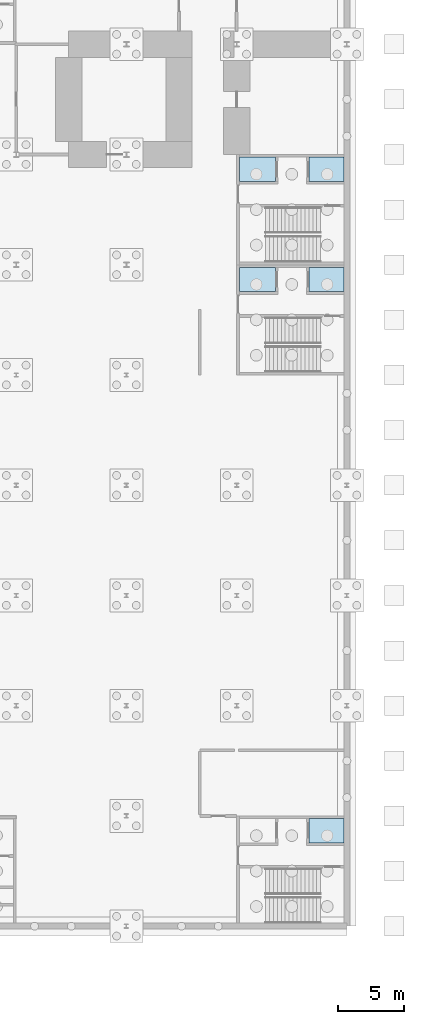
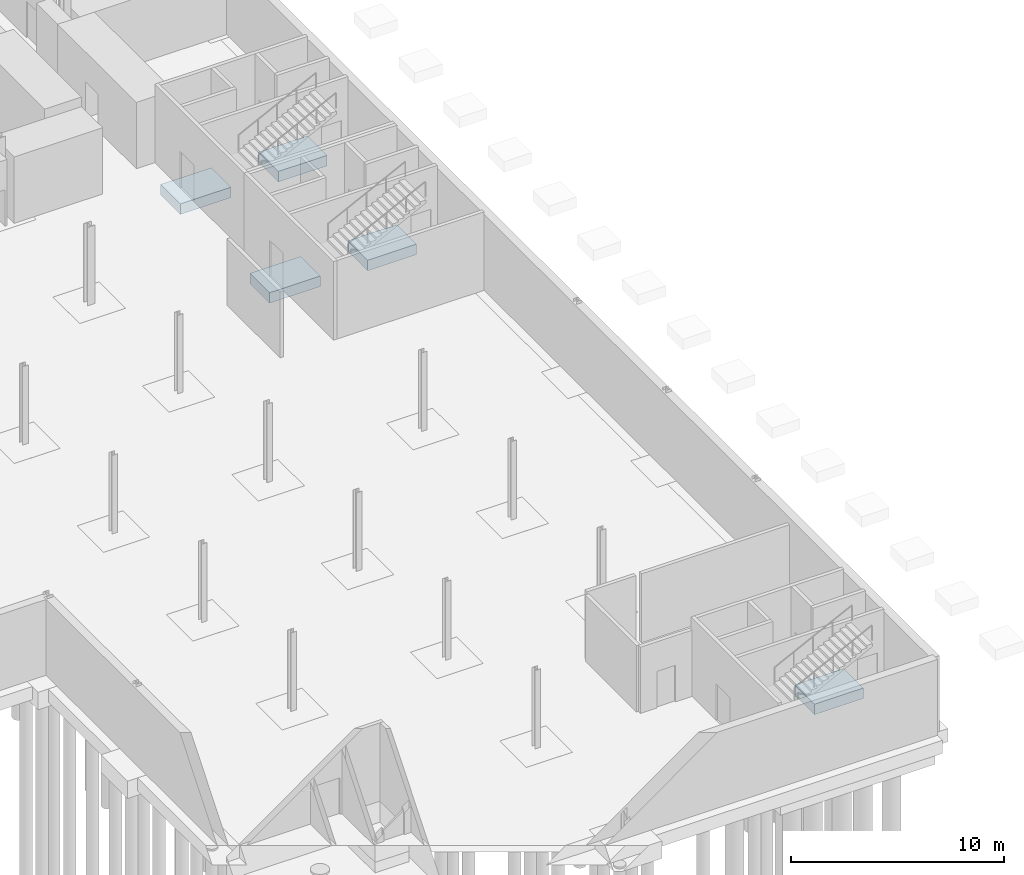
# One storey, part 18 of 35: 5 slabs.
"""IFC4 building model written with IfcOpenShell, lengths in metres."""

from ifc_helpers import new_model, si_unit, direction, frame, origin, place, context, subcontext, project, spatial, polyline, outline, extrude, material, layer, layer_set, type_object, element, save


model = new_model("IFC4")

# Units and contexts
model_context = context("Model", 3, precision=1e-05, world=origin(), true_north=direction((0.0, 1.0)))
body_context = subcontext(model_context, "Body", "Model", "MODEL_VIEW")
ifc_project = project(units=[si_unit("LENGTHUNIT", "METRE"), si_unit("AREAUNIT", "SQUARE_METRE"), si_unit("VOLUMEUNIT", "CUBIC_METRE"), si_unit("PLANEANGLEUNIT", "RADIAN"), si_unit("MASSUNIT", "GRAM", prefix="KILO")], contexts=[model_context])

# Site, building, storey
site_placement = place(None, origin())
site = spatial("IfcSite", under=ifc_project, at=site_placement, CompositionType="ELEMENT")
building_placement = place(site_placement, origin())
building = spatial("IfcBuilding", under=site, at=building_placement, Name="Ardhachandra Cancer Care Centre", CompositionType="ELEMENT")
storey_placement = place(building_placement, frame((0.0, 0.0, -4.5)))
storey = spatial("IfcBuildingStorey", under=building, at=storey_placement, Name="B1", CompositionType="ELEMENT", Elevation=-4.5)

# Slabs
ifc_material = material(Name="Concrete M40", Category="concrete")
ifc_layer = layer(ifc_material, 0.60009765625)
ifc_layer_set = layer_set([ifc_layer], Name="Concrete M40")
slab_type = type_object("IfcSlabType", Name="Lift pit slab 600", PredefinedType="BASESLAB", material=ifc_layer_set)
slab_1_placement = place(storey_placement, frame((0.0, 0.0, -1.800048828125)))
element("IfcSlab", 1, at=slab_1_placement, inside=storey, type_object=slab_type, Name="Lift pit slab K9-2", PredefinedType="BASESLAB", context=body_context, shape_type="SweptSolid", body=[
    extrude(outline(polyline([(142.324951171875, 35.75), (144.97509765625, 35.75), (144.97509765625, 37.60009765625), (142.324951171875, 37.60009765625), (142.324951171875, 35.75)])), origin(), (0.0, 0.0, 1.0), 0.60009765625),
])
slab_2_placement = place(storey_placement, frame((0.0, 0.0, -1.800048828125)))
element("IfcSlab", 2, at=slab_2_placement, inside=storey, type_object=slab_type, Name="Lift pit slab K10-1", PredefinedType="BASESLAB", context=body_context, shape_type="SweptSolid", body=[
    extrude(outline(polyline([(137.0, 77.75), (139.75, 77.75), (139.75, 79.60009765625), (137.0, 79.60009765625), (137.0, 77.75)])), origin(), (0.0, 0.0, 1.0), 0.60009765625),
])
slab_3_placement = place(storey_placement, frame((0.0, 0.0, -1.800048828125)))
element("IfcSlab", 3, at=slab_3_placement, inside=storey, type_object=slab_type, Name="Lift pit slab K10-2", PredefinedType="BASESLAB", context=body_context, shape_type="SweptSolid", body=[
    extrude(outline(polyline([(142.324951171875, 77.75), (144.97509765625, 77.75), (144.97509765625, 79.60009765625), (142.324951171875, 79.60009765625), (142.324951171875, 77.75)])), origin(), (0.0, 0.0, 1.0), 0.60009765625),
])
slab_4_placement = place(storey_placement, frame((0.0, 0.0, -1.800048828125)))
element("IfcSlab", 4, at=slab_4_placement, inside=storey, type_object=slab_type, Name="Lift pit slab K13-1", PredefinedType="BASESLAB", context=body_context, shape_type="SweptSolid", body=[
    extrude(outline(polyline([(137.0, 86.14990234375), (139.75, 86.14990234375), (139.75, 88.0), (137.0, 88.0), (137.0, 86.14990234375)])), origin(), (0.0, 0.0, 1.0), 0.60009765625),
])
slab_5_placement = place(storey_placement, frame((0.0, 0.0, -1.800048828125)))
element("IfcSlab", 5, at=slab_5_placement, inside=storey, type_object=slab_type, Name="Lift pit slab K13-2", PredefinedType="BASESLAB", context=body_context, shape_type="SweptSolid", body=[
    extrude(outline(polyline([(142.324951171875, 86.14990234375), (144.97509765625, 86.14990234375), (144.97509765625, 88.0), (142.324951171875, 88.0), (142.324951171875, 86.14990234375)])), origin(), (0.0, 0.0, 1.0), 0.60009765625),
])

save(model, "model.ifc")
